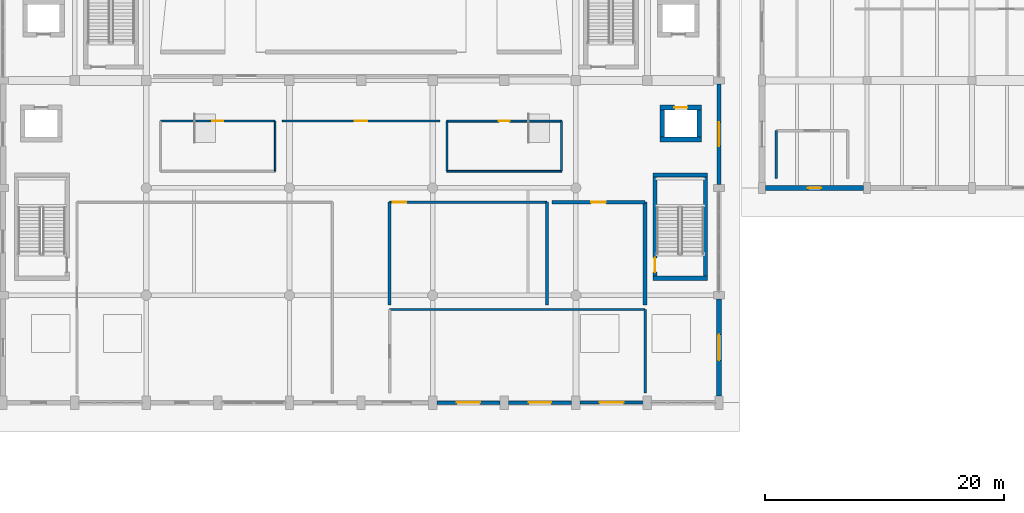
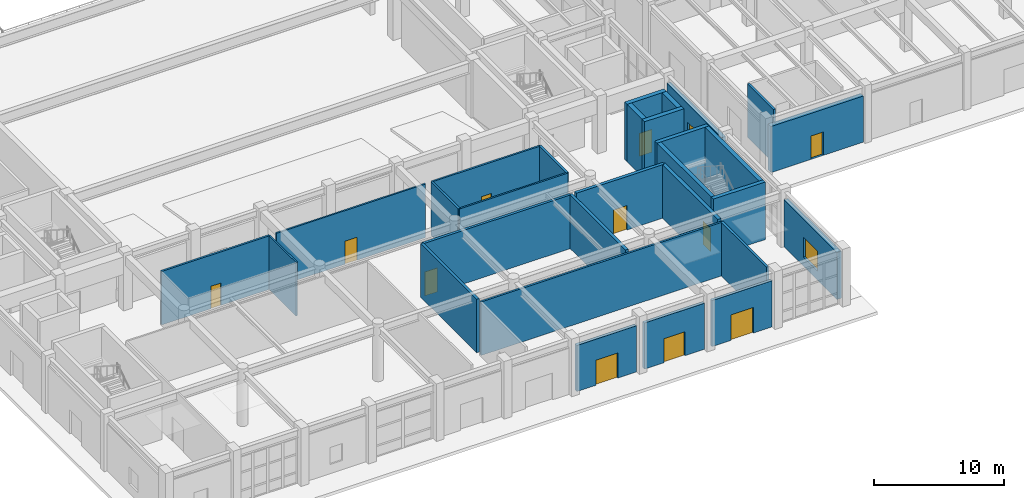
# One storey, part 71 of 91: 29 walls, 11 doors, 2 windows, 13 openings.
"""IFC4 building model written with IfcOpenShell, lengths in metres."""

from ifc_helpers import new_model, si_unit, direction, frame, frame_2d, origin, place, context, subcontext, project, spatial, rectangle, extrude, material, layer, layer_set, type_object, element, fill, save


model = new_model("IFC4")

# Units and contexts
model_context = context("Model", 3, precision=1e-05, world=origin(), true_north=direction((0.0, 1.0)))
body_context = subcontext(model_context, "Body", "Model", "MODEL_VIEW")
ifc_project = project(units=[si_unit("LENGTHUNIT", "METRE"), si_unit("AREAUNIT", "SQUARE_METRE"), si_unit("VOLUMEUNIT", "CUBIC_METRE"), si_unit("PLANEANGLEUNIT", "RADIAN"), si_unit("MASSUNIT", "GRAM", prefix="KILO")], contexts=[model_context])

# Site, building, storey
site_placement = place(None, origin())
site = spatial("IfcSite", under=ifc_project, at=site_placement, CompositionType="ELEMENT")
building_placement = place(site_placement, origin())
building = spatial("IfcBuilding", under=site, at=building_placement, Name="Vaelkrest Opera House", CompositionType="ELEMENT")
storey_placement = place(building_placement, origin())
storey = spatial("IfcBuildingStorey", under=building, at=storey_placement, Name="L00", CompositionType="ELEMENT", Elevation=0.0)

# Wall, opening, door
ifc_material_1 = material(Name="Douglas fir glulam GL28h", Category="wood")
ifc_layer_1 = layer(ifc_material_1, 0.2548828125)
ifc_layer_set_1 = layer_set([ifc_layer_1], Name="Douglas fir glulam GL28h")
wall_type_1 = type_object("IfcWallType", Name="EW01", PredefinedType="STANDARD", material=ifc_layer_set_1)
wall_1_placement = place(storey_placement, frame((23.652099609375, -55.800048828125, 0.0), z_axis=(0.0, 0.0, 1.0), x_axis=(-1.0, 0.0, 0.0)))
wall_1 = element("IfcWall", 1, at=wall_1_placement, inside=storey, type_object=wall_type_1, Name="Exterior facade wall EW-V1-L00-0001", PredefinedType="STANDARD", context=body_context, shape_type="SweptSolid", body=[
    extrude(rectangle(XDim=5.30419921875, YDim=0.2548828125, at=frame_2d((2.652099609375, 0.0))), origin(), (0.0, 0.0, 1.0), 4.320068359375),
])
opening_1_placement = place(wall_1_placement, frame((1.652099609375, 0.0, 0.0)))
opening_1 = element("IfcOpeningElement", 2, at=opening_1_placement, cuts=wall_1, Name="Opening ED01", PredefinedType="OPENING", context=body_context, shape_type="SweptSolid", body=[
    extrude(rectangle(XDim=2.0, YDim=2.39990234375, at=frame_2d((1.0, 1.199951171875))), frame((0.0, 0.137451171875, 0.0), z_axis=(0.0, -1.0, 0.0), x_axis=(1.0, 0.0, 0.0)), (0.0, 0.0, 1.0), 0.27490234375),
])
ifc_material_2 = material(Name="Dark bronze anodized aluminium", Category="aluminium")
door_type_1 = type_object("IfcDoorType", Name="EDT01", OperationType="DOUBLE_DOOR_SINGLE_SWING", PredefinedType="DOOR", material=ifc_material_2)
door_1_placement = place(opening_1_placement, origin())
door_1 = element("IfcDoor", 3, at=door_1_placement, inside=storey, type_object=door_type_1, Name="Exterior exit door ED01", OperationType="DOUBLE_DOOR_SINGLE_SWING", OverallHeight=2.39990234375, OverallWidth=2.0, PredefinedType="DOOR", context=body_context, shape_type="SweptSolid", body=[
    extrude(rectangle(XDim=2.0, YDim=2.39990234375, at=frame_2d((1.0, 1.199951171875))), frame((0.0, 0.02490234375, 0.0), z_axis=(0.0, -1.0, 0.0), x_axis=(1.0, 0.0, 0.0)), (0.0, 0.0, 1.0), 0.050048828125),
])
fill(opening_1, door_1)

ifc_layer_2 = layer(ifc_material_1, 0.27490234375)
ifc_layer_set_2 = layer_set([ifc_layer_2], Name="Douglas fir glulam GL28h")
wall_type_2 = type_object("IfcWallType", Name="EW02", PredefinedType="STANDARD", material=ifc_layer_set_2)
wall_2_placement = place(storey_placement, frame((17.652099609375, -55.800048828125, 0.0), z_axis=(0.0, 0.0, 1.0), x_axis=(-1.0, 0.0, 0.0)))
wall_2 = element("IfcWall", 4, at=wall_2_placement, inside=storey, type_object=wall_type_2, Name="Exterior facade wall EW-V1-L00-0002", PredefinedType="STANDARD", context=body_context, shape_type="SweptSolid", body=[
    extrude(rectangle(XDim=5.30419921875, YDim=0.27490234375, at=frame_2d((2.652099609375, 0.0))), origin(), (0.0, 0.0, 1.0), 4.320068359375),
])
opening_2_placement = place(wall_2_placement, frame((1.72705078125, 0.0, 0.0)))
opening_2 = element("IfcOpeningElement", 5, at=opening_2_placement, cuts=wall_2, Name="Opening ED02", PredefinedType="OPENING", context=body_context, shape_type="SweptSolid", body=[
    extrude(rectangle(XDim=1.85009765625, YDim=2.25, at=frame_2d((0.925048828125, 1.125))), frame((0.0, 0.1474609375, 0.0), z_axis=(0.0, -1.0, 0.0), x_axis=(1.0, 0.0, 0.0)), (0.0, 0.0, 1.0), 0.294921875),
])
door_type_2 = type_object("IfcDoorType", Name="EDT02", OperationType="DOUBLE_DOOR_SINGLE_SWING", PredefinedType="DOOR", material=ifc_material_2)
door_2_placement = place(opening_2_placement, origin())
door_2 = element("IfcDoor", 6, at=door_2_placement, inside=storey, type_object=door_type_2, Name="Exterior exit door ED02", OperationType="DOUBLE_DOOR_SINGLE_SWING", OverallHeight=2.25, OverallWidth=1.85009765625, PredefinedType="DOOR", context=body_context, shape_type="SweptSolid", body=[
    extrude(rectangle(XDim=1.85009765625, YDim=2.25, at=frame_2d((0.925048828125, 1.125))), frame((0.0, 0.02490234375, 0.0), z_axis=(0.0, -1.0, 0.0), x_axis=(1.0, 0.0, 0.0)), (0.0, 0.0, 1.0), 0.050048828125),
])
fill(opening_2, door_2)

ifc_layer_3 = layer(ifc_material_1, 0.294921875)
ifc_layer_set_3 = layer_set([ifc_layer_3], Name="Douglas fir glulam GL28h")
wall_type_3 = type_object("IfcWallType", Name="EW03", PredefinedType="STANDARD", material=ifc_layer_set_3)
wall_3_placement = place(storey_placement, frame((11.652099609375, -55.800048828125, 0.0), z_axis=(0.0, 0.0, 1.0), x_axis=(-1.0, 0.0, 0.0)))
wall_3 = element("IfcWall", 7, at=wall_3_placement, inside=storey, type_object=wall_type_3, Name="Exterior facade wall EW-V1-L00-0003", PredefinedType="STANDARD", context=body_context, shape_type="SweptSolid", body=[
    extrude(rectangle(XDim=5.30419921875, YDim=0.294921875, at=frame_2d((2.652099609375, 0.0))), origin(), (0.0, 0.0, 1.0), 4.320068359375),
])
opening_3_placement = place(wall_3_placement, frame((1.677001953125, 0.0, 0.0)))
opening_3 = element("IfcOpeningElement", 8, at=opening_3_placement, cuts=wall_3, Name="Opening ED03", PredefinedType="OPENING", context=body_context, shape_type="SweptSolid", body=[
    extrude(rectangle(XDim=1.949951171875, YDim=2.35009765625, at=frame_2d((0.97509765625, 1.175048828125))), frame((0.0, 0.157470703125, 0.0), z_axis=(0.0, -1.0, 0.0), x_axis=(1.0, 0.0, 0.0)), (0.0, 0.0, 1.0), 0.31494140625),
])
door_type_3 = type_object("IfcDoorType", Name="EDT07", OperationType="DOUBLE_DOOR_SINGLE_SWING", PredefinedType="DOOR", material=ifc_material_2)
door_3_placement = place(opening_3_placement, origin())
door_3 = element("IfcDoor", 9, at=door_3_placement, inside=storey, type_object=door_type_3, Name="Exterior exit door ED03", OperationType="DOUBLE_DOOR_SINGLE_SWING", OverallHeight=2.35009765625, OverallWidth=1.949951171875, PredefinedType="DOOR", context=body_context, shape_type="SweptSolid", body=[
    extrude(rectangle(XDim=1.949951171875, YDim=2.35009765625, at=frame_2d((0.97509765625, 1.175048828125))), frame((0.0, 0.02490234375, 0.0), z_axis=(0.0, -1.0, 0.0), x_axis=(1.0, 0.0, 0.0)), (0.0, 0.0, 1.0), 0.050048828125),
])
fill(opening_3, door_3)

# Wall, opening, window
ifc_material_3 = material(Name="American black walnut acoustic timber", Category="wood")
ifc_layer_4 = layer(ifc_material_3, 0.360107421875)
ifc_layer_set_4 = layer_set([ifc_layer_4], Name="American black walnut acoustic timber")
wall_type_4 = type_object("IfcWallType", Name="EW06", PredefinedType="STANDARD", material=ifc_layer_set_4)
wall_4_placement = place(storey_placement, frame((30.0, -29.097900390625, 0.0), z_axis=(0.0, 0.0, 1.0), x_axis=(0.0, -1.0, 0.0)))
wall_4 = element("IfcWall", 10, at=wall_4_placement, inside=storey, type_object=wall_type_4, Name="Exterior facade wall EW-V1-L00-0026", PredefinedType="STANDARD", context=body_context, shape_type="SweptSolid", body=[
    extrude(rectangle(XDim=8.404052734375, YDim=0.360107421875, at=frame_2d((4.2021484375, 0.0))), origin(), (0.0, 0.0, 1.0), 4.404052734375),
])
opening_4_placement = place(wall_4_placement, frame((3.201904296875, 0.0, 0.85009765625)))
opening_4 = element("IfcOpeningElement", 11, at=opening_4_placement, cuts=wall_4, Name="Opening WN007", PredefinedType="OPENING", context=body_context, shape_type="SweptSolid", body=[
    extrude(rectangle(XDim=2.0, YDim=1.85009765625, at=frame_2d((1.0, 0.925048828125))), frame((0.0, 0.18994140625, 0.0), z_axis=(0.0, -1.0, 0.0), x_axis=(1.0, 0.0, 0.0)), (0.0, 0.0, 1.0), 0.380126953125),
])
ifc_material_4 = material(Name="Double low-E insulated glazing", Category="glass")
window_type_1 = type_object("IfcWindowType", Name="WT07", PartitioningType="SINGLE_PANEL", PredefinedType="WINDOW", material=ifc_material_4)
window_1_placement = place(opening_4_placement, origin())
window_1 = element("IfcWindow", 12, at=window_1_placement, inside=storey, type_object=window_type_1, Name="Facade window WN007", OverallHeight=1.85009765625, OverallWidth=2.0, PartitioningType="SINGLE_PANEL", PredefinedType="WINDOW", context=body_context, shape_type="SweptSolid", body=[
    extrude(rectangle(XDim=2.0, YDim=1.85009765625, at=frame_2d((1.0, 0.925048828125))), frame((0.0, 0.030029296875, 0.0), z_axis=(0.0, -1.0, 0.0), x_axis=(1.0, 0.0, 0.0)), (0.0, 0.0, 1.0), 0.06005859375),
])
fill(opening_4, window_1)

ifc_material_5 = material(Name="Concrete C40/50", Category="concrete")
ifc_layer_5 = layer(ifc_material_5, 0.385009765625)
ifc_layer_set_5 = layer_set([ifc_layer_5], Name="Concrete C40/50")
wall_type_5 = type_object("IfcWallType", Name="EW07", PredefinedType="STANDARD", material=ifc_layer_set_5)
wall_5_placement = place(storey_placement, frame((30.0, -47.097900390625, 0.0), z_axis=(0.0, 0.0, 1.0), x_axis=(0.0, -1.0, 0.0)))
wall_5 = element("IfcWall", 13, at=wall_5_placement, inside=storey, type_object=wall_type_5, Name="Exterior facade wall EW-V1-L00-0027", PredefinedType="STANDARD", context=body_context, shape_type="SweptSolid", body=[
    extrude(rectangle(XDim=8.154052734375, YDim=0.385009765625, at=frame_2d((4.0771484375, 0.0))), origin(), (0.0, 0.0, 1.0), 4.404052734375),
])
opening_5_placement = place(wall_5_placement, frame((3.001953125, 0.0, 0.85009765625)))
opening_5 = element("IfcOpeningElement", 14, at=opening_5_placement, cuts=wall_5, Name="Opening WN008", PredefinedType="OPENING", context=body_context, shape_type="SweptSolid", body=[
    extrude(rectangle(XDim=2.14990234375, YDim=1.85009765625, at=frame_2d((1.074951171875, 0.925048828125))), frame((0.0, 0.202392578125, 0.0), z_axis=(0.0, -1.0, 0.0), x_axis=(1.0, 0.0, 0.0)), (0.0, 0.0, 1.0), 0.405029296875),
])
window_type_2 = type_object("IfcWindowType", Name="WT08", PartitioningType="SINGLE_PANEL", PredefinedType="WINDOW", material=ifc_material_4)
window_2_placement = place(opening_5_placement, origin())
window_2 = element("IfcWindow", 15, at=window_2_placement, inside=storey, type_object=window_type_2, Name="Facade window WN008", OverallHeight=1.85009765625, OverallWidth=2.14990234375, PartitioningType="SINGLE_PANEL", PredefinedType="WINDOW", context=body_context, shape_type="SweptSolid", body=[
    extrude(rectangle(XDim=2.14990234375, YDim=1.85009765625, at=frame_2d((1.074951171875, 0.925048828125))), frame((0.0, 0.030029296875, 0.0), z_axis=(0.0, -1.0, 0.0), x_axis=(1.0, 0.0, 0.0)), (0.0, 0.0, 1.0), 0.06005859375),
])
fill(opening_5, window_2)

# Wall, opening, door
ifc_layer_6 = layer(ifc_material_5, 0.43505859375)
ifc_layer_set_6 = layer_set([ifc_layer_6], Name="Concrete C40/50")
wall_type_6 = type_object("IfcWallType", Name="EW09", PredefinedType="STANDARD", material=ifc_layer_set_6)
wall_6_placement = place(storey_placement, frame((42.10205078125, -37.800048828125, 0.0), z_axis=(0.0, 0.0, 1.0), x_axis=(-1.0, 0.0, 0.0)))
wall_6 = element("IfcWall", 16, at=wall_6_placement, inside=storey, type_object=wall_type_6, Name="Exterior facade wall EW-V4-L00-0209", PredefinedType="STANDARD", context=body_context, shape_type="SweptSolid", body=[
    extrude(rectangle(XDim=8.2041015625, YDim=0.43505859375, at=frame_2d((4.10205078125, 0.0))), origin(), (0.0, 0.0, 1.0), 4.320068359375),
])
opening_6_placement = place(wall_6_placement, frame((3.5419921875, 0.0, 0.0)))
opening_6 = element("IfcOpeningElement", 17, at=opening_6_placement, cuts=wall_6, Name="Opening ED23", PredefinedType="OPENING", context=body_context, shape_type="SweptSolid", body=[
    extrude(rectangle(XDim=1.1201171875, YDim=2.199951171875, at=frame_2d((0.56005859375, 1.10009765625))), frame((0.0, 0.2275390625, 0.0), z_axis=(0.0, -1.0, 0.0), x_axis=(1.0, 0.0, 0.0)), (0.0, 0.0, 1.0), 0.455078125),
])
door_type_4 = type_object("IfcDoorType", Name="EDT05", OperationType="NOTDEFINED", PredefinedType="DOOR", material=ifc_material_2)
door_4_placement = place(opening_6_placement, origin())
door_4 = element("IfcDoor", 18, at=door_4_placement, inside=storey, type_object=door_type_4, Name="Exterior exit door ED23", OperationType="SINGLE_SWING_LEFT", OverallHeight=2.199951171875, OverallWidth=1.1201171875, PredefinedType="DOOR", context=body_context, shape_type="SweptSolid", body=[
    extrude(rectangle(XDim=1.1201171875, YDim=2.199951171875, at=frame_2d((0.56005859375, 1.10009765625))), frame((0.0, 0.02490234375, 0.0), z_axis=(0.0, -1.0, 0.0), x_axis=(1.0, 0.0, 0.0)), (0.0, 0.0, 1.0), 0.050048828125),
])
fill(opening_6, door_4)

# Walls
ifc_material_6 = material(Name="Gypsum acoustic board", Category="gypsum")
ifc_layer_7 = layer(ifc_material_6, 0.135009765625)
ifc_layer_set_7 = layer_set([ifc_layer_7], Name="Gypsum acoustic board")
wall_type_7 = type_object("IfcWallType", Name="PT02", PredefinedType="PARTITIONING", material=ifc_layer_set_7)
wall_7_placement = place(storey_placement, frame((-7.199951171875, -36.39990234375, 0.0), z_axis=(0.0, 0.0, 1.0), x_axis=(0.0, 1.0, 0.0)))
element("IfcWall", 19, at=wall_7_placement, inside=storey, type_object=wall_type_7, Name="Interior partition PT-V1-L00-0044", PredefinedType="PARTITIONING", context=body_context, shape_type="SweptSolid", body=[
    extrude(rectangle(XDim=4.199951171875, YDim=0.135009765625, at=frame_2d((2.10009765625, 0.0))), origin(), (0.0, 0.0, 1.0), 5.02001953125),
])
ifc_layer_8 = layer(ifc_material_6, 0.14990234375)
ifc_layer_set_8 = layer_set([ifc_layer_8], Name="Gypsum acoustic board")
wall_type_8 = type_object("IfcWallType", Name="PT03", PredefinedType="PARTITIONING", material=ifc_layer_set_8)
wall_8_placement = place(storey_placement, frame((7.199951171875, -36.39990234375, 0.0), z_axis=(0.0, 0.0, 1.0), x_axis=(1.0, 0.0, 0.0)))
element("IfcWall", 20, at=wall_8_placement, inside=storey, type_object=wall_type_8, Name="Interior partition PT-V1-L00-0045", PredefinedType="PARTITIONING", context=body_context, shape_type="SweptSolid", body=[
    extrude(rectangle(XDim=9.60009765625, YDim=0.14990234375, at=frame_2d((4.800048828125, 0.0))), origin(), (0.0, 0.0, 1.0), 5.02001953125),
])

# Wall, opening, door
ifc_layer_9 = layer(ifc_material_6, 0.1650390625)
ifc_layer_set_9 = layer_set([ifc_layer_9], Name="Gypsum acoustic board")
wall_type_9 = type_object("IfcWallType", Name="PT04", PredefinedType="PARTITIONING", material=ifc_layer_set_9)
wall_9_placement = place(storey_placement, frame((7.199951171875, -32.199951171875, 0.0), z_axis=(0.0, 0.0, 1.0), x_axis=(1.0, 0.0, 0.0)))
wall_9 = element("IfcWall", 21, at=wall_9_placement, inside=storey, type_object=wall_type_9, Name="Interior partition PT-V1-L00-0046", PredefinedType="PARTITIONING", context=body_context, shape_type="SweptSolid", body=[
    extrude(rectangle(XDim=9.60009765625, YDim=0.1650390625, at=frame_2d((4.800048828125, 0.0))), origin(), (0.0, 0.0, 1.0), 5.02001953125),
])
opening_7_placement = place(wall_9_placement, frame((4.35009765625, 0.0, 0.0)))
opening_7 = element("IfcOpeningElement", 22, at=opening_7_placement, cuts=wall_9, Name="Opening D017", PredefinedType="OPENING", context=body_context, shape_type="SweptSolid", body=[
    extrude(rectangle(XDim=0.89990234375, YDim=2.10009765625, at=frame_2d((0.449951171875, 1.050048828125))), frame((0.0, 0.092529296875, 0.0), z_axis=(0.0, -1.0, 0.0), x_axis=(1.0, 0.0, 0.0)), (0.0, 0.0, 1.0), 0.18505859375),
])
door_type_5 = type_object("IfcDoorType", Name="DT01", OperationType="NOTDEFINED", PredefinedType="DOOR", material=ifc_material_3)
door_5_placement = place(opening_7_placement, origin())
door_5 = element("IfcDoor", 23, at=door_5_placement, inside=storey, type_object=door_type_5, Name="Interior door D017 (Accessible Washroom)", OperationType="SINGLE_SWING_LEFT", OverallHeight=2.10009765625, OverallWidth=0.89990234375, PredefinedType="DOOR", context=body_context, shape_type="SweptSolid", body=[
    extrude(rectangle(XDim=0.89990234375, YDim=2.10009765625, at=frame_2d((0.449951171875, 1.050048828125))), frame((0.0, 0.02490234375, 0.0), z_axis=(0.0, -1.0, 0.0), x_axis=(1.0, 0.0, 0.0)), (0.0, 0.0, 1.0), 0.050048828125),
])
fill(opening_7, door_5)

# Walls
ifc_layer_10 = layer(ifc_material_6, 0.179931640625)
ifc_layer_set_10 = layer_set([ifc_layer_10], Name="Gypsum acoustic board")
wall_type_10 = type_object("IfcWallType", Name="PT05", PredefinedType="PARTITIONING", material=ifc_layer_set_10)
wall_10_placement = place(storey_placement, frame((2.39990234375, -48.0, 0.0), z_axis=(0.0, 0.0, 1.0), x_axis=(1.0, 0.0, 0.0)))
element("IfcWall", 24, at=wall_10_placement, inside=storey, type_object=wall_type_10, Name="Interior partition PT-V1-L00-0033", PredefinedType="PARTITIONING", context=body_context, shape_type="SweptSolid", body=[
    extrude(rectangle(XDim=21.400146484375, YDim=0.179931640625, at=frame_2d((10.7001953125, 0.0))), origin(), (0.0, 0.0, 1.0), 5.02001953125),
])
wall_11_placement = place(storey_placement, frame((7.199951171875, -36.39990234375, 0.0), z_axis=(0.0, 0.0, 1.0), x_axis=(0.0, 1.0, 0.0)))
element("IfcWall", 25, at=wall_11_placement, inside=storey, type_object=wall_type_10, Name="Interior partition PT-V1-L00-0047", PredefinedType="PARTITIONING", context=body_context, shape_type="SweptSolid", body=[
    extrude(rectangle(XDim=4.199951171875, YDim=0.179931640625, at=frame_2d((2.10009765625, 0.0))), origin(), (0.0, 0.0, 1.0), 5.02001953125),
])
ifc_layer_11 = layer(ifc_material_6, 0.195068359375)
ifc_layer_set_11 = layer_set([ifc_layer_11], Name="Gypsum acoustic board")
wall_type_11 = type_object("IfcWallType", Name="PT06", PredefinedType="PARTITIONING", material=ifc_layer_set_11)
wall_12_placement = place(storey_placement, frame((16.800048828125, -36.39990234375, 0.0), z_axis=(0.0, 0.0, 1.0), x_axis=(0.0, 1.0, 0.0)))
element("IfcWall", 26, at=wall_12_placement, inside=storey, type_object=wall_type_11, Name="Interior partition PT-V1-L00-0048", PredefinedType="PARTITIONING", context=body_context, shape_type="SweptSolid", body=[
    extrude(rectangle(XDim=4.199951171875, YDim=0.195068359375, at=frame_2d((2.10009765625, 0.0))), origin(), (0.0, 0.0, 1.0), 5.02001953125),
])
wall_13_placement = place(storey_placement, frame((34.800048828125, -37.0, 0.0), z_axis=(0.0, 0.0, 1.0), x_axis=(0.0, 1.0, 0.0)))
element("IfcWall", 27, at=wall_13_placement, inside=storey, type_object=wall_type_11, Name="Interior partition PT-V4-L00-0353", PredefinedType="PARTITIONING", context=body_context, shape_type="SweptSolid", body=[
    extrude(rectangle(XDim=4.0, YDim=0.195068359375, at=frame_2d((2.0, 0.0))), origin(), (0.0, 0.0, 1.0), 5.02001953125),
])
ifc_layer_12 = layer(ifc_material_3, 0.2099609375)
ifc_layer_set_12 = layer_set([ifc_layer_12], Name="American black walnut acoustic timber")
wall_type_12 = type_object("IfcWallType", Name="PT07", PredefinedType="PARTITIONING", material=ifc_layer_set_12)
wall_14_placement = place(storey_placement, frame((23.800048828125, -55.0, 0.0), z_axis=(0.0, 0.0, 1.0), x_axis=(0.0, 1.0, 0.0)))
element("IfcWall", 28, at=wall_14_placement, inside=storey, type_object=wall_type_12, Name="Interior partition PT-V1-L00-0035", PredefinedType="PARTITIONING", context=body_context, shape_type="SweptSolid", body=[
    extrude(rectangle(XDim=7.0, YDim=0.2099609375, at=frame_2d((3.5, 0.0))), origin(), (0.0, 0.0, 1.0), 5.02001953125),
])

# Wall, opening, door
ifc_layer_13 = layer(ifc_material_3, 0.22509765625)
ifc_layer_set_13 = layer_set([ifc_layer_13], Name="American black walnut acoustic timber")
wall_type_13 = type_object("IfcWallType", Name="PT08", PredefinedType="PARTITIONING", material=ifc_layer_set_13)
wall_15_placement = place(storey_placement, frame((2.39990234375, -39.0, 0.0), z_axis=(0.0, 0.0, 1.0), x_axis=(1.0, 0.0, 0.0)))
wall_15 = element("IfcWall", 29, at=wall_15_placement, inside=storey, type_object=wall_type_13, Name="Interior partition PT-V1-L00-0036", PredefinedType="PARTITIONING", context=body_context, shape_type="SweptSolid", body=[
    extrude(rectangle(XDim=13.2001953125, YDim=0.22509765625, at=frame_2d((6.60009765625, 0.0))), origin(), (0.0, 0.0, 1.0), 5.02001953125),
])
opening_8_placement = place(wall_15_placement, frame((0.25, 0.0, 0.0)))
opening_8 = element("IfcOpeningElement", 30, at=opening_8_placement, cuts=wall_15, Name="Opening D014", PredefinedType="OPENING", context=body_context, shape_type="SweptSolid", body=[
    extrude(rectangle(XDim=1.1201171875, YDim=2.25, at=frame_2d((0.56005859375, 1.125))), frame((0.0, 0.12255859375, 0.0), z_axis=(0.0, -1.0, 0.0), x_axis=(1.0, 0.0, 0.0)), (0.0, 0.0, 1.0), 0.2451171875),
])
door_type_6 = type_object("IfcDoorType", Name="DT23", OperationType="NOTDEFINED", PredefinedType="DOOR", material=ifc_material_3)
door_6_placement = place(opening_8_placement, origin())
door_6 = element("IfcDoor", 31, at=door_6_placement, inside=storey, type_object=door_type_6, Name="Interior door D014 (Opera Shop)", OperationType="SINGLE_SWING_RIGHT", OverallHeight=2.25, OverallWidth=1.1201171875, PredefinedType="DOOR", context=body_context, shape_type="SweptSolid", body=[
    extrude(rectangle(XDim=1.1201171875, YDim=2.25, at=frame_2d((0.56005859375, 1.125))), frame((0.0, 0.02490234375, 0.0), z_axis=(0.0, -1.0, 0.0), x_axis=(1.0, 0.0, 0.0)), (0.0, 0.0, 1.0), 0.050048828125),
])
fill(opening_8, door_6)

# Walls
ifc_layer_14 = layer(ifc_material_5, 0.239990234375)
ifc_layer_set_14 = layer_set([ifc_layer_14], Name="Concrete C40/50")
wall_type_14 = type_object("IfcWallType", Name="PT09", PredefinedType="PARTITIONING", material=ifc_layer_set_14)
wall_16_placement = place(storey_placement, frame((2.39990234375, -47.60009765625, 0.0), z_axis=(0.0, 0.0, 1.0), x_axis=(0.0, 1.0, 0.0)))
element("IfcWall", 32, at=wall_16_placement, inside=storey, type_object=wall_type_14, Name="Interior partition PT-V1-L00-0037", PredefinedType="PARTITIONING", context=body_context, shape_type="SweptSolid", body=[
    extrude(rectangle(XDim=8.60009765625, YDim=0.239990234375, at=frame_2d((4.300048828125, 0.0))), origin(), (0.0, 0.0, 1.0), 5.02001953125),
])
ifc_layer_15 = layer(ifc_material_5, 0.260009765625)
ifc_layer_set_15 = layer_set([ifc_layer_15], Name="Concrete C40/50")
wall_type_15 = type_object("IfcWallType", Name="PT10", PredefinedType="PARTITIONING", material=ifc_layer_set_15)
wall_17_placement = place(storey_placement, frame((15.60009765625, -47.60009765625, 0.0), z_axis=(0.0, 0.0, 1.0), x_axis=(0.0, 1.0, 0.0)))
element("IfcWall", 33, at=wall_17_placement, inside=storey, type_object=wall_type_15, Name="Interior partition PT-V1-L00-0038", PredefinedType="PARTITIONING", context=body_context, shape_type="SweptSolid", body=[
    extrude(rectangle(XDim=8.60009765625, YDim=0.260009765625, at=frame_2d((4.300048828125, 0.0))), origin(), (0.0, 0.0, 1.0), 5.02001953125),
])

# Wall, opening, door
ifc_layer_16 = layer(ifc_material_5, 0.280029296875)
ifc_layer_set_16 = layer_set([ifc_layer_16], Name="Concrete C40/50")
wall_type_16 = type_object("IfcWallType", Name="PT11", PredefinedType="PARTITIONING", material=ifc_layer_set_16)
wall_18_placement = place(storey_placement, frame((16.0, -39.0, 0.0), z_axis=(0.0, 0.0, 1.0), x_axis=(1.0, 0.0, 0.0)))
wall_18 = element("IfcWall", 34, at=wall_18_placement, inside=storey, type_object=wall_type_16, Name="Interior partition PT-V1-L00-0039", PredefinedType="PARTITIONING", context=body_context, shape_type="SweptSolid", body=[
    extrude(rectangle(XDim=7.800048828125, YDim=0.280029296875, at=frame_2d((3.89990234375, 0.0))), origin(), (0.0, 0.0, 1.0), 5.02001953125),
])
opening_9_placement = place(wall_18_placement, frame((3.2900390625, 0.0, 0.0)))
opening_9 = element("IfcOpeningElement", 35, at=opening_9_placement, cuts=wall_18, Name="Opening D015", PredefinedType="OPENING", context=body_context, shape_type="SweptSolid", body=[
    extrude(rectangle(XDim=1.219970703125, YDim=2.300048828125, at=frame_2d((0.60986328125, 1.14990234375))), frame((0.0, 0.14990234375, 0.0), z_axis=(0.0, -1.0, 0.0), x_axis=(1.0, 0.0, 0.0)), (0.0, 0.0, 1.0), 0.300048828125),
])
door_type_7 = type_object("IfcDoorType", Name="DT24", OperationType="NOTDEFINED", PredefinedType="DOOR", material=ifc_material_3)
door_7_placement = place(opening_9_placement, origin())
door_7 = element("IfcDoor", 36, at=door_7_placement, inside=storey, type_object=door_type_7, Name="Interior door D015 (Box Office)", OperationType="SINGLE_SWING_LEFT", OverallHeight=2.300048828125, OverallWidth=1.219970703125, PredefinedType="DOOR", context=body_context, shape_type="SweptSolid", body=[
    extrude(rectangle(XDim=1.219970703125, YDim=2.300048828125, at=frame_2d((0.60986328125, 1.14990234375))), frame((0.0, 0.02490234375, 0.0), z_axis=(0.0, -1.0, 0.0), x_axis=(1.0, 0.0, 0.0)), (0.0, 0.0, 1.0), 0.050048828125),
])
fill(opening_9, door_7)

# Wall
ifc_layer_17 = layer(ifc_material_5, 0.304931640625)
ifc_layer_set_17 = layer_set([ifc_layer_17], Name="Concrete C40/50")
wall_type_17 = type_object("IfcWallType", Name="PT12", PredefinedType="PARTITIONING", material=ifc_layer_set_17)
wall_19_placement = place(storey_placement, frame((23.800048828125, -47.60009765625, 0.0), z_axis=(0.0, 0.0, 1.0), x_axis=(0.0, 1.0, 0.0)))
element("IfcWall", 37, at=wall_19_placement, inside=storey, type_object=wall_type_17, Name="Interior partition PT-V1-L00-0040", PredefinedType="PARTITIONING", context=body_context, shape_type="SweptSolid", body=[
    extrude(rectangle(XDim=8.60009765625, YDim=0.304931640625, at=frame_2d((4.300048828125, 0.0))), origin(), (0.0, 0.0, 1.0), 5.02001953125),
])

# Wall, opening, door
ifc_layer_18 = layer(ifc_material_6, 0.14501953125)
ifc_layer_set_18 = layer_set([ifc_layer_18], Name="Gypsum acoustic board")
wall_type_18 = type_object("IfcWallType", Name="PT13", PredefinedType="PARTITIONING", material=ifc_layer_set_18)
wall_20_placement = place(storey_placement, frame((-6.60009765625, -32.199951171875, 0.0), z_axis=(0.0, 0.0, 1.0), x_axis=(1.0, 0.0, 0.0)))
wall_20 = element("IfcWall", 38, at=wall_20_placement, inside=storey, type_object=wall_type_18, Name="Interior partition PT-V1-L00-0055", PredefinedType="PARTITIONING", context=body_context, shape_type="SweptSolid", body=[
    extrude(rectangle(XDim=13.2001953125, YDim=0.14501953125, at=frame_2d((6.60009765625, 0.0))), origin(), (0.0, 0.0, 1.0), 5.02001953125),
])
opening_10_placement = place(wall_20_placement, frame((6.070068359375, 0.0, 0.0)))
opening_10 = element("IfcOpeningElement", 39, at=opening_10_placement, cuts=wall_20, Name="Opening D020", PredefinedType="OPENING", context=body_context, shape_type="SweptSolid", body=[
    extrude(rectangle(XDim=1.06005859375, YDim=2.14990234375, at=frame_2d((0.530029296875, 1.074951171875))), frame((0.0, 0.08251953125, 0.0), z_axis=(0.0, -1.0, 0.0), x_axis=(1.0, 0.0, 0.0)), (0.0, 0.0, 1.0), 0.1650390625),
])
door_type_8 = type_object("IfcDoorType", Name="DT05", OperationType="NOTDEFINED", PredefinedType="DOOR", material=ifc_material_3)
door_8_placement = place(opening_10_placement, origin())
door_8 = element("IfcDoor", 40, at=door_8_placement, inside=storey, type_object=door_type_8, Name="Interior door D020 (Patron Ticket Salon)", OperationType="SINGLE_SWING_RIGHT", OverallHeight=2.14990234375, OverallWidth=1.06005859375, PredefinedType="DOOR", context=body_context, shape_type="SweptSolid", body=[
    extrude(rectangle(XDim=1.06005859375, YDim=2.14990234375, at=frame_2d((0.530029296875, 1.074951171875))), frame((0.0, 0.02490234375, 0.0), z_axis=(0.0, -1.0, 0.0), x_axis=(1.0, 0.0, 0.0)), (0.0, 0.0, 1.0), 0.050048828125),
])
fill(opening_10, door_8)

ifc_layer_19 = layer(ifc_material_3, 0.175048828125)
ifc_layer_set_19 = layer_set([ifc_layer_19], Name="American black walnut acoustic timber")
wall_type_19 = type_object("IfcWallType", Name="PT14", PredefinedType="PARTITIONING", material=ifc_layer_set_19)
wall_21_placement = place(storey_placement, frame((-16.800048828125, -32.199951171875, 0.0), z_axis=(0.0, 0.0, 1.0), x_axis=(1.0, 0.0, 0.0)))
wall_21 = element("IfcWall", 41, at=wall_21_placement, inside=storey, type_object=wall_type_19, Name="Interior partition PT-V1-L00-0042", PredefinedType="PARTITIONING", context=body_context, shape_type="SweptSolid", body=[
    extrude(rectangle(XDim=9.60009765625, YDim=0.175048828125, at=frame_2d((4.800048828125, 0.0))), origin(), (0.0, 0.0, 1.0), 5.02001953125),
])
opening_11_placement = place(wall_21_placement, frame((4.35009765625, 0.0, 0.0)))
opening_11 = element("IfcOpeningElement", 42, at=opening_11_placement, cuts=wall_21, Name="Opening D016", PredefinedType="OPENING", context=body_context, shape_type="SweptSolid", body=[
    extrude(rectangle(XDim=0.89990234375, YDim=2.10009765625, at=frame_2d((0.449951171875, 1.050048828125))), frame((0.0, 0.097412109375, 0.0), z_axis=(0.0, -1.0, 0.0), x_axis=(1.0, 0.0, 0.0)), (0.0, 0.0, 1.0), 0.195068359375),
])
door_9_placement = place(opening_11_placement, origin())
door_9 = element("IfcDoor", 43, at=door_9_placement, inside=storey, type_object=door_type_5, Name="Interior door D016 (Cloakroom)", OperationType="SINGLE_SWING_RIGHT", OverallHeight=2.10009765625, OverallWidth=0.89990234375, PredefinedType="DOOR", context=body_context, shape_type="SweptSolid", body=[
    extrude(rectangle(XDim=0.89990234375, YDim=2.10009765625, at=frame_2d((0.449951171875, 1.050048828125))), frame((0.0, 0.02490234375, 0.0), z_axis=(0.0, -1.0, 0.0), x_axis=(1.0, 0.0, 0.0)), (0.0, 0.0, 1.0), 0.050048828125),
])
fill(opening_11, door_9)

# Wall
ifc_material_7 = material(Name="Concrete C50/60", Category="concrete")
ifc_layer_20 = layer(ifc_material_7, 0.35009765625)
ifc_layer_set_20 = layer_set([ifc_layer_20], Name="Concrete C50/60")
wall_type_20 = type_object("IfcWallType", Name="SW01", PredefinedType="SHEAR", material=ifc_layer_set_20)
wall_22_placement = place(storey_placement, frame((29.050048828125, -45.375, 0.0), z_axis=(0.0, 0.0, 1.0), x_axis=(-1.0, 0.0, 0.0)))
element("IfcWall", 44, at=wall_22_placement, inside=storey, type_object=wall_type_20, Name="Stair core ST04 wall L00 S", PredefinedType="SHEAR", context=body_context, shape_type="SweptSolid", body=[
    extrude(rectangle(XDim=4.60009765625, YDim=0.35009765625, at=frame_2d((2.300048828125, 0.0))), origin(), (0.0, 0.0, 1.0), 5.39990234375),
])

# Wall, opening, door
wall_23_placement = place(storey_placement, frame((24.625, -45.199951171875, 0.0), z_axis=(0.0, 0.0, 1.0), x_axis=(0.0, 1.0, 0.0)))
wall_23 = element("IfcWall", 45, at=wall_23_placement, inside=storey, type_object=wall_type_20, Name="Stair core ST04 wall L00 W", PredefinedType="SHEAR", context=body_context, shape_type="SweptSolid", body=[
    extrude(rectangle(XDim=8.300048828125, YDim=0.35009765625, at=frame_2d((4.14990234375, 0.0))), origin(), (0.0, 0.0, 1.0), 5.39990234375),
])
opening_12_placement = place(wall_23_placement, frame((0.35009765625, 0.0, 0.0)))
opening_12 = element("IfcOpeningElement", 46, at=opening_12_placement, cuts=wall_23, Name="Opening SD-ST04-L00", PredefinedType="OPENING", context=body_context, shape_type="SweptSolid", body=[
    extrude(rectangle(XDim=1.179931640625, YDim=2.14990234375, at=frame_2d((0.58984375, 1.074951171875))), frame((0.0, 0.18505859375, 0.0), z_axis=(0.0, -1.0, 0.0), x_axis=(1.0, 0.0, 0.0)), (0.0, 0.0, 1.0), 0.3701171875),
])
door_type_9 = type_object("IfcDoorType", Name="DT07", OperationType="NOTDEFINED", PredefinedType="DOOR", material=ifc_material_3)
door_10_placement = place(opening_12_placement, origin())
door_10 = element("IfcDoor", 47, at=door_10_placement, inside=storey, type_object=door_type_9, Name="Protected stair door SD-ST04-L00", OperationType="SINGLE_SWING_RIGHT", OverallHeight=2.14990234375, OverallWidth=1.179931640625, PredefinedType="DOOR", context=body_context, shape_type="SweptSolid", body=[
    extrude(rectangle(XDim=1.179931640625, YDim=2.14990234375, at=frame_2d((0.58984375, 1.074951171875))), frame((0.0, 0.02490234375, 0.0), z_axis=(0.0, -1.0, 0.0), x_axis=(1.0, 0.0, 0.0)), (0.0, 0.0, 1.0), 0.050048828125),
])
fill(opening_12, door_10)

# Walls
wall_24_placement = place(storey_placement, frame((24.449951171875, -36.72509765625, 0.0), z_axis=(0.0, 0.0, 1.0), x_axis=(1.0, 0.0, 0.0)))
element("IfcWall", 48, at=wall_24_placement, inside=storey, type_object=wall_type_20, Name="Stair core ST04 wall L00 N", PredefinedType="SHEAR", context=body_context, shape_type="SweptSolid", body=[
    extrude(rectangle(XDim=4.60009765625, YDim=0.35009765625, at=frame_2d((2.300048828125, 0.0))), origin(), (0.0, 0.0, 1.0), 5.39990234375),
])
wall_25_placement = place(storey_placement, frame((28.875, -36.89990234375, 0.0), z_axis=(0.0, 0.0, 1.0), x_axis=(0.0, -1.0, 0.0)))
element("IfcWall", 49, at=wall_25_placement, inside=storey, type_object=wall_type_20, Name="Stair core ST04 wall L00 E", PredefinedType="SHEAR", context=body_context, shape_type="SweptSolid", body=[
    extrude(rectangle(XDim=8.300048828125, YDim=0.35009765625, at=frame_2d((4.14990234375, 0.0))), origin(), (0.0, 0.0, 1.0), 5.39990234375),
])
ifc_layer_21 = layer(ifc_material_7, 0.389892578125)
ifc_layer_set_21 = layer_set([ifc_layer_21], Name="Concrete C50/60")
wall_type_21 = type_object("IfcWallType", Name="SW02", PredefinedType="SHEAR", material=ifc_layer_set_21)
wall_26_placement = place(storey_placement, frame((28.5400390625, -33.7451171875, 0.0), z_axis=(0.0, 0.0, 1.0), x_axis=(-1.0, 0.0, 0.0)))
element("IfcWall", 50, at=wall_26_placement, inside=storey, type_object=wall_type_21, Name="Lift shaft LP04 wall L00 S", PredefinedType="SHEAR", context=body_context, shape_type="SweptSolid", body=[
    extrude(rectangle(XDim=3.47998046875, YDim=0.389892578125, at=frame_2d((1.739990234375, 0.0))), origin(), (0.0, 0.0, 1.0), 5.39990234375),
])

# Wall, opening, door
wall_27_placement = place(storey_placement, frame((25.06005859375, -31.054931640625, 0.0), z_axis=(0.0, 0.0, 1.0), x_axis=(1.0, 0.0, 0.0)))
wall_27 = element("IfcWall", 51, at=wall_27_placement, inside=storey, type_object=wall_type_21, Name="Lift shaft LP04 wall L00 N", PredefinedType="SHEAR", context=body_context, shape_type="SweptSolid", body=[
    extrude(rectangle(XDim=3.47998046875, YDim=0.389892578125, at=frame_2d((1.739990234375, 0.0))), origin(), (0.0, 0.0, 1.0), 5.39990234375),
])
opening_13_placement = place(wall_27_placement, frame((1.18994140625, 0.0, 0.0)))
opening_13 = element("IfcOpeningElement", 52, at=opening_13_placement, cuts=wall_27, Name="Opening LD-LP04-L00", PredefinedType="OPENING", context=body_context, shape_type="SweptSolid", body=[
    extrude(rectangle(XDim=1.10009765625, YDim=2.14990234375, at=frame_2d((0.550048828125, 1.074951171875))), frame((0.0, 0.204833984375, 0.0), z_axis=(0.0, -1.0, 0.0), x_axis=(1.0, 0.0, 0.0)), (0.0, 0.0, 1.0), 0.409912109375),
])
door_type_10 = type_object("IfcDoorType", Name="LDT01", OperationType="SLIDING_TO_LEFT", PredefinedType="DOOR", material=ifc_material_2)
door_11_placement = place(opening_13_placement, origin())
door_11 = element("IfcDoor", 53, at=door_11_placement, inside=storey, type_object=door_type_10, Name="Lift landing sliding door LD-LP04-L00", OperationType="SLIDING_TO_LEFT", OverallHeight=2.14990234375, OverallWidth=1.10009765625, PredefinedType="DOOR", context=body_context, shape_type="SweptSolid", body=[
    extrude(rectangle(XDim=1.10009765625, YDim=2.14990234375, at=frame_2d((0.550048828125, 1.074951171875))), frame((0.0, 0.02490234375, 0.0), z_axis=(0.0, -1.0, 0.0), x_axis=(1.0, 0.0, 0.0)), (0.0, 0.0, 1.0), 0.050048828125),
])
fill(opening_13, door_11)

# Walls
for number, where, z_axis, x_axis, name in (
    (54, (25.2548828125, -33.550048828125, 0.0), (0.0, 0.0, 1.0), (0.0, 1.0, 0.0), "Lift shaft LP04 wall L00 W"),
    (55, (28.344970703125, -31.25, 0.0), (0.0, 0.0, 1.0), (0.0, -1.0, 0.0), "Lift shaft LP04 wall L00 E"),
):
    element("IfcWall", number, at=place(storey_placement, frame(where, z_axis=z_axis, x_axis=x_axis)), inside=storey, type_object=wall_type_21, Name=name, PredefinedType="SHEAR", context=body_context, shape_type="SweptSolid", body=[
        extrude(rectangle(XDim=2.300048828125, YDim=0.389892578125, at=frame_2d((1.14990234375, 0.0))), origin(), (0.0, 0.0, 1.0), 5.39990234375),
    ])

save(model, "model.ifc")
